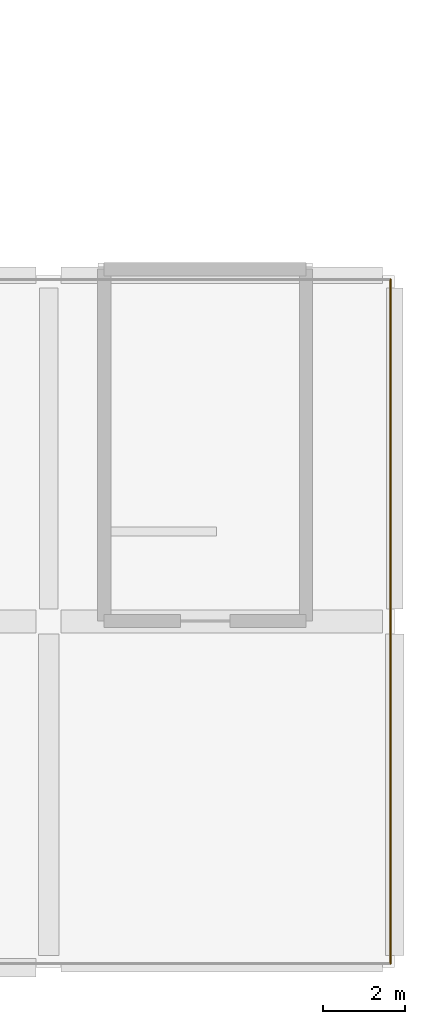
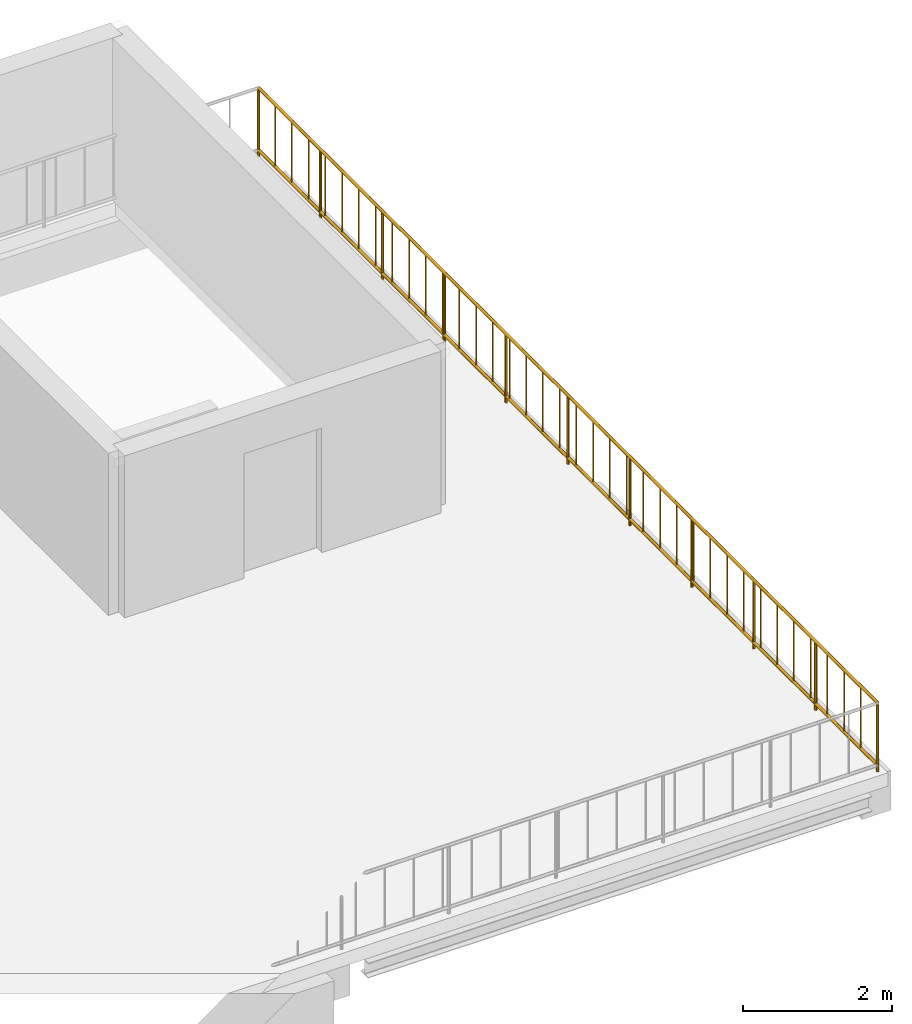
# One storey, part 26 of 26: 1 railing.
"""IFC4 building model written with IfcOpenShell, lengths in metres."""

from ifc_helpers import new_model, si_unit, derived_unit, direction, frame, origin, origin_2d, place, context, subcontext, project, spatial, circle, extrude, material, layer, layer_set, type_object, element, save


model = new_model("IFC4")

# Units and contexts
model_context = context("Model", 3, precision=1e-05, world=origin(), true_north=direction((0.0, 1.0)))
body_context = subcontext(model_context, "Body", "Model", "MODEL_VIEW")
ifc_project = project(units=[si_unit("LENGTHUNIT", "METRE"), si_unit("AREAUNIT", "SQUARE_METRE"), si_unit("VOLUMEUNIT", "CUBIC_METRE"), si_unit("PLANEANGLEUNIT", "RADIAN"), si_unit("MASSUNIT", "GRAM", prefix="KILO"), derived_unit("THERMALTRANSMITTANCEUNIT", [(si_unit("POWERUNIT", "WATT"), 1), (si_unit("LENGTHUNIT", "METRE"), -2), (si_unit("THERMODYNAMICTEMPERATUREUNIT", "KELVIN"), -1)])], contexts=[model_context])

# Site, building, storey
site_placement = place(None, origin())
site = spatial("IfcSite", under=ifc_project, at=site_placement, CompositionType="ELEMENT")
building_placement = place(site_placement, origin())
building = spatial("IfcBuilding", under=site, at=building_placement, Name="Barrovel Congress Hotel", CompositionType="ELEMENT")
storey_placement = place(building_placement, frame((0.0, 0.0, 32.699951171875)))
storey = spatial("IfcBuildingStorey", under=building, at=storey_placement, Name="L08", CompositionType="ELEMENT", Elevation=32.699951171875)

# Railing
ifc_material = material(Name="Painted Architectural Steel", Category="steel")
ifc_layer = layer(ifc_material, 0.080078125)
ifc_layer_set = layer_set([ifc_layer], Name="Painted Architectural Steel")
railing_type = type_object("IfcRailingType", Name="RAIL-GUARD-EXT", PredefinedType="BALUSTRADE", material=ifc_layer_set)
railing_placement = place(storey_placement, frame((151.10009765625, 4.300048828125, 0.0)))
element("IfcRailing", 1, at=railing_placement, inside=storey, type_object=railing_type, Name="L08 East Terrace Guardrail 2", PredefinedType="BALUSTRADE", context=body_context, shape_type="SweptSolid", body=[
    extrude(circle(Radius=0.02392578125, at=origin_2d()), frame((0.0, 0.0, 1.11572265625), z_axis=(0.0, 1.0, 0.0), x_axis=(-1.0, 0.0, 0.0)), (0.0, 0.0, 1.0), 16.599853515625),
    extrude(circle(Radius=0.02392578125, at=origin_2d()), frame((0.0, 0.0, 0.10009765625), z_axis=(0.0, 1.0, 0.0), x_axis=(-1.0, 0.0, 0.0)), (0.0, 0.0, 1.0), 16.599853515625),
    extrude(circle(Radius=0.010009765625, at=origin_2d()), frame((0.0, 0.44873046875, 0.10009765625)), (0.0, 0.0, 1.0), 0.99169921875),
    extrude(circle(Radius=0.010009765625, at=origin_2d()), frame((0.0, 0.897216796875, 0.10009765625)), (0.0, 0.0, 1.0), 0.99169921875),
    extrude(circle(Radius=0.010009765625, at=origin_2d()), frame((0.0, 1.345947265625, 0.10009765625)), (0.0, 0.0, 1.0), 0.99169921875),
    extrude(circle(Radius=0.010009765625, at=origin_2d()), frame((0.0, 1.794677734375, 0.10009765625)), (0.0, 0.0, 1.0), 0.99169921875),
    extrude(circle(Radius=0.010009765625, at=origin_2d()), frame((0.0, 2.2431640625, 0.10009765625)), (0.0, 0.0, 1.0), 0.99169921875),
    extrude(circle(Radius=0.010009765625, at=origin_2d()), frame((0.0, 2.69189453125, 0.10009765625)), (0.0, 0.0, 1.0), 0.99169921875),
    extrude(circle(Radius=0.010009765625, at=origin_2d()), frame((0.0, 3.140625, 0.10009765625)), (0.0, 0.0, 1.0), 0.99169921875),
    extrude(circle(Radius=0.010009765625, at=origin_2d()), frame((0.0, 3.589111328125, 0.10009765625)), (0.0, 0.0, 1.0), 0.99169921875),
    extrude(circle(Radius=0.010009765625, at=origin_2d()), frame((0.0, 4.037841796875, 0.10009765625)), (0.0, 0.0, 1.0), 0.99169921875),
    extrude(circle(Radius=0.010009765625, at=origin_2d()), frame((0.0, 4.486328125, 0.10009765625)), (0.0, 0.0, 1.0), 0.99169921875),
    extrude(circle(Radius=0.010009765625, at=origin_2d()), frame((0.0, 4.93505859375, 0.10009765625)), (0.0, 0.0, 1.0), 0.99169921875),
    extrude(circle(Radius=0.010009765625, at=origin_2d()), frame((0.0, 5.3837890625, 0.10009765625)), (0.0, 0.0, 1.0), 0.99169921875),
    extrude(circle(Radius=0.010009765625, at=origin_2d()), frame((0.0, 5.832275390625, 0.10009765625)), (0.0, 0.0, 1.0), 0.99169921875),
    extrude(circle(Radius=0.010009765625, at=origin_2d()), frame((0.0, 6.281005859375, 0.10009765625)), (0.0, 0.0, 1.0), 0.99169921875),
    extrude(circle(Radius=0.010009765625, at=origin_2d()), frame((0.0, 6.729736328125, 0.10009765625)), (0.0, 0.0, 1.0), 0.99169921875),
    extrude(circle(Radius=0.010009765625, at=origin_2d()), frame((0.0, 7.17822265625, 0.10009765625)), (0.0, 0.0, 1.0), 0.99169921875),
    extrude(circle(Radius=0.010009765625, at=origin_2d()), frame((0.0, 7.626953125, 0.10009765625)), (0.0, 0.0, 1.0), 0.99169921875),
    extrude(circle(Radius=0.010009765625, at=origin_2d()), frame((0.0, 8.07568359375, 0.10009765625)), (0.0, 0.0, 1.0), 0.99169921875),
    extrude(circle(Radius=0.010009765625, at=origin_2d()), frame((0.0, 8.524169921875, 0.10009765625)), (0.0, 0.0, 1.0), 0.99169921875),
    extrude(circle(Radius=0.010009765625, at=origin_2d()), frame((0.0, 8.972900390625, 0.10009765625)), (0.0, 0.0, 1.0), 0.99169921875),
    extrude(circle(Radius=0.010009765625, at=origin_2d()), frame((0.0, 9.421630859375, 0.10009765625)), (0.0, 0.0, 1.0), 0.99169921875),
    extrude(circle(Radius=0.010009765625, at=origin_2d()), frame((0.0, 9.8701171875, 0.10009765625)), (0.0, 0.0, 1.0), 0.99169921875),
    extrude(circle(Radius=0.010009765625, at=origin_2d()), frame((0.0, 10.31884765625, 0.10009765625)), (0.0, 0.0, 1.0), 0.99169921875),
    extrude(circle(Radius=0.010009765625, at=origin_2d()), frame((0.0, 10.767578125, 0.10009765625)), (0.0, 0.0, 1.0), 0.99169921875),
    extrude(circle(Radius=0.010009765625, at=origin_2d()), frame((0.0, 11.216064453125, 0.10009765625)), (0.0, 0.0, 1.0), 0.99169921875),
    extrude(circle(Radius=0.010009765625, at=origin_2d()), frame((0.0, 11.664794921875, 0.10009765625)), (0.0, 0.0, 1.0), 0.99169921875),
    extrude(circle(Radius=0.010009765625, at=origin_2d()), frame((0.0, 12.113525390625, 0.10009765625)), (0.0, 0.0, 1.0), 0.99169921875),
    extrude(circle(Radius=0.010009765625, at=origin_2d()), frame((0.0, 12.56201171875, 0.10009765625)), (0.0, 0.0, 1.0), 0.99169921875),
    extrude(circle(Radius=0.010009765625, at=origin_2d()), frame((0.0, 13.0107421875, 0.10009765625)), (0.0, 0.0, 1.0), 0.99169921875),
    extrude(circle(Radius=0.010009765625, at=origin_2d()), frame((0.0, 13.459228515625, 0.10009765625)), (0.0, 0.0, 1.0), 0.99169921875),
    extrude(circle(Radius=0.010009765625, at=origin_2d()), frame((0.0, 13.907958984375, 0.10009765625)), (0.0, 0.0, 1.0), 0.99169921875),
    extrude(circle(Radius=0.010009765625, at=origin_2d()), frame((0.0, 14.356689453125, 0.10009765625)), (0.0, 0.0, 1.0), 0.99169921875),
    extrude(circle(Radius=0.010009765625, at=origin_2d()), frame((0.0, 14.80517578125, 0.10009765625)), (0.0, 0.0, 1.0), 0.99169921875),
    extrude(circle(Radius=0.010009765625, at=origin_2d()), frame((0.0, 15.25390625, 0.10009765625)), (0.0, 0.0, 1.0), 0.99169921875),
    extrude(circle(Radius=0.010009765625, at=origin_2d()), frame((0.0, 15.70263671875, 0.10009765625)), (0.0, 0.0, 1.0), 0.99169921875),
    extrude(circle(Radius=0.010009765625, at=origin_2d()), frame((0.0, 16.151123046875, 0.10009765625)), (0.0, 0.0, 1.0), 0.99169921875),
    extrude(circle(Radius=0.02099609375, at=origin_2d()), origin(), (0.0, 0.0, 1.0), 1.091796875),
    extrude(circle(Radius=0.02099609375, at=origin_2d()), frame((0.0, 1.659912109375, 0.0)), (0.0, 0.0, 1.0), 1.091796875),
    extrude(circle(Radius=0.02099609375, at=origin_2d()), frame((0.0, 3.320068359375, 0.0)), (0.0, 0.0, 1.0), 1.091796875),
    extrude(circle(Radius=0.02099609375, at=origin_2d()), frame((0.0, 4.97998046875, 0.0)), (0.0, 0.0, 1.0), 1.091796875),
    extrude(circle(Radius=0.02099609375, at=origin_2d()), frame((0.0, 6.639892578125, 0.0)), (0.0, 0.0, 1.0), 1.091796875),
    extrude(circle(Radius=0.02099609375, at=origin_2d()), frame((0.0, 8.2998046875, 0.0)), (0.0, 0.0, 1.0), 1.091796875),
    extrude(circle(Radius=0.02099609375, at=origin_2d()), frame((0.0, 9.9599609375, 0.0)), (0.0, 0.0, 1.0), 1.091796875),
    extrude(circle(Radius=0.02099609375, at=origin_2d()), frame((0.0, 11.619873046875, 0.0)), (0.0, 0.0, 1.0), 1.091796875),
    extrude(circle(Radius=0.02099609375, at=origin_2d()), frame((0.0, 13.27978515625, 0.0)), (0.0, 0.0, 1.0), 1.091796875),
    extrude(circle(Radius=0.02099609375, at=origin_2d()), frame((0.0, 14.93994140625, 0.0)), (0.0, 0.0, 1.0), 1.091796875),
    extrude(circle(Radius=0.02099609375, at=origin_2d()), frame((0.0, 16.599853515625, 0.0)), (0.0, 0.0, 1.0), 1.091796875),
])

save(model, "model.ifc")
